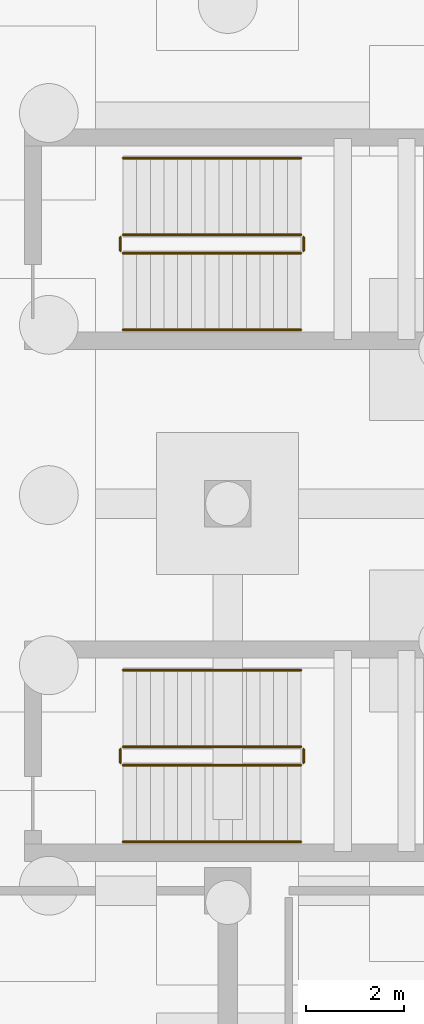
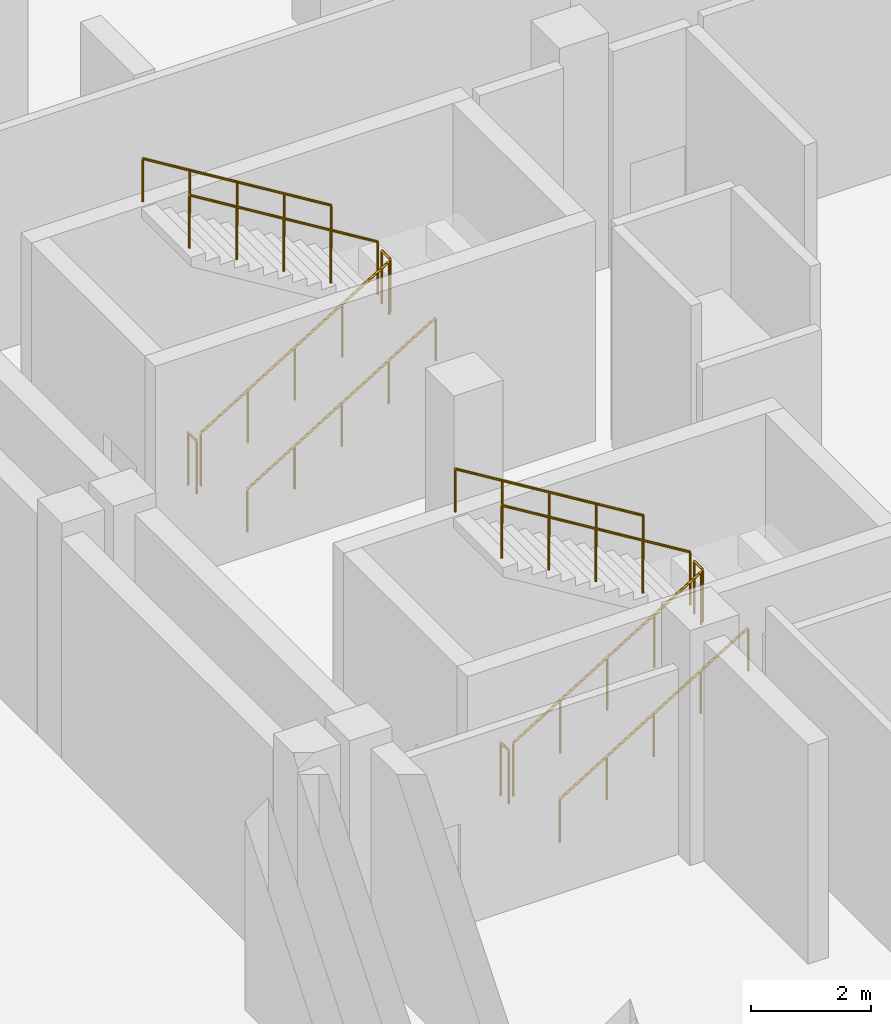
# One storey, part 26 of 29: 12 railings.
"""IFC4 building model written with IfcOpenShell, lengths in metres."""

import ifcopenshell
import ifcopenshell.guid

model = None  # the IFC model being written
_history = None  # IfcOwnerHistory: only IFC2X3 demands one
_inside = {}  # id of a spatial element -> (the spatial element, [elements in it])
_under = {}  # id of a project, library or spatial element -> (it, [spatial elements below it])
_declared = {}  # id of a project -> (the project, [libraries it declares])
_typed = {}  # id of a type object -> (the type object, [elements of that type])
_made_of = {}  # id of a material, layer set ... -> (it, [elements and type objects made of it])


def new_model(schema):
    """Start an empty IFC model of exactly this schema.

    Asked for "IFC4X3", IfcOpenShell would pick the latest addendum, in which some entities
    have other attributes; the version numbers below select the first issue.
    IFC2X3 requires an IfcOwnerHistory on every rooted entity: one is made here for all.
    """
    global model, _history
    if schema == "IFC4X3":
        model = ifcopenshell.file(schema_version=(4, 3, 0, 0))
    else:
        model = ifcopenshell.file(schema=schema)
    _inside.clear()
    _under.clear()
    _declared.clear()
    _typed.clear()
    _made_of.clear()
    _history = None
    if model.schema == "IFC2X3":
        org = make("IfcOrganization", Name="unknown")
        user = make(
            "IfcPersonAndOrganization",
            ThePerson=make("IfcPerson", FamilyName="unknown"),
            TheOrganization=org,
        )
        app = make(
            "IfcApplication",
            ApplicationDeveloper=org,
            Version="unknown",
            ApplicationFullName="unknown",
            ApplicationIdentifier="unknown",
        )
        _history = make(
            "IfcOwnerHistory",
            OwningUser=user,
            OwningApplication=app,
            ChangeAction="ADDED",
            CreationDate=0,
        )
    return model


def make(cls, **values):
    """One entity of the class cls with the attributes given. An attribute that is None is left unset."""
    return model.create_entity(
        cls, **{name: value for name, value in values.items() if value is not None}
    )


def rooted(cls, **values):
    """An entity with a GlobalId (a new one), such as an element, a storey or a relation."""
    return make(cls, GlobalId=ifcopenshell.guid.new(), OwnerHistory=_history, **values)


def si_unit(unit_type, name, prefix=None):
    """IfcSIUnit, for example si_unit("LENGTHUNIT", "METRE", prefix="MILLI")."""
    return make("IfcSIUnit", UnitType=unit_type, Prefix=prefix, Name=name)


def assignment(units):
    """IfcUnitAssignment: the units of a project."""
    return None if units is None else make("IfcUnitAssignment", Units=units)


def point(xyz):
    """IfcCartesianPoint."""
    return None if xyz is None else make("IfcCartesianPoint", Coordinates=xyz)


def direction(xyz):
    """IfcDirection."""
    return None if xyz is None else make("IfcDirection", DirectionRatios=xyz)


def frame(location, z_axis=None, x_axis=None):
    """IfcAxis2Placement3D, a coordinate frame: its origin and axes. An axis left out is left unset."""
    return make(
        "IfcAxis2Placement3D",
        Location=point(location),
        Axis=direction(z_axis),
        RefDirection=direction(x_axis),
    )


def frame_2d(location, x_axis=None):
    """IfcAxis2Placement2D, a coordinate frame in the plane: its origin and x axis."""
    return make(
        "IfcAxis2Placement2D", Location=point(location), RefDirection=direction(x_axis)
    )


def origin():
    """The frame at (0, 0, 0) with its axes left unset."""
    return frame((0.0, 0.0, 0.0))


def origin_2d():
    """The frame at (0, 0) in the plane with its x axis left unset."""
    return frame_2d((0.0, 0.0))


def place(relative_to, where):
    """IfcLocalPlacement: puts the frame where relative to a parent placement (None: the world)."""
    return make(
        "IfcLocalPlacement", PlacementRelTo=relative_to, RelativePlacement=where
    )


def context(
    kind, dimensions, precision=None, world=None, true_north=None, identifier=None
):
    """IfcGeometricRepresentationContext, for example the 3D "Model" context."""
    return make(
        "IfcGeometricRepresentationContext",
        ContextIdentifier=identifier,
        ContextType=kind,
        CoordinateSpaceDimension=dimensions,
        Precision=precision,
        WorldCoordinateSystem=world,
        TrueNorth=true_north,
    )


def subcontext(parent, identifier, kind, view, scale=None):
    """IfcGeometricRepresentationSubContext, for example "Body" below "Model"."""
    return make(
        "IfcGeometricRepresentationSubContext",
        ContextIdentifier=identifier,
        ContextType=kind,
        ParentContext=parent,
        TargetScale=scale,
        TargetView=view,
    )


def project(units=None, contexts=None):
    """IfcProject with its units and contexts."""
    return rooted(
        "IfcProject",
        Name="project",
        RepresentationContexts=contexts,
        UnitsInContext=assignment(units),
    )


def spatial(cls, under=None, at=None, **own):
    """A site, building, storey or space (cls), placed at a placement, below another one or the project."""
    s = rooted(cls, ObjectPlacement=at, **own)
    if under is not None:
        _under.setdefault(under.id(), (under, []))[1].append(s)
    return s


def profile(cls, at=None, kind="AREA", **sizes):
    """A parametric profile (cls). Its sizes go by their IFC names, for example OverallWidth=200.0."""
    return make(cls, ProfileType=kind, Position=at, **sizes)


def circle(**sizes):
    """IfcCircleProfileDef."""
    return profile("IfcCircleProfileDef", **sizes)


def extrude(swept, where, along, depth):
    """IfcExtrudedAreaSolid: the profile swept, set in the frame where, extruded along a direction by depth."""
    return make(
        "IfcExtrudedAreaSolid",
        SweptArea=swept,
        Position=where,
        ExtrudedDirection=direction(along),
        Depth=depth,
    )


def shape(context_of_items, identifier, shape_type, items):
    """IfcShapeRepresentation: the items that make up one representation, for example the "Body"."""
    return make(
        "IfcShapeRepresentation",
        ContextOfItems=context_of_items,
        RepresentationIdentifier=identifier,
        RepresentationType=shape_type,
        Items=items,
    )


def material(Name=None, Category=None):
    """IfcMaterial."""
    return make("IfcMaterial", Name=Name, Category=Category)


def made_of(thing, what):
    """Note that an element or type object is made of a material, layer set ...; save() writes the relation."""
    if what is not None:
        _made_of.setdefault(what.id(), (what, []))[1].append(thing)
    return thing


def type_object(cls, material=None, **own):
    """A type object (cls), such as IfcWallType, which elements share."""
    return made_of(rooted(cls, **own), material)


def element(
    cls,
    number,
    at=None,
    inside=None,
    cuts=None,
    type_object=None,
    material=None,
    context=None,
    identifier="Body",
    shape_type=None,
    held_by="IfcProductDefinitionShape",
    body=None,
    shapes=None,
    **own,
):
    """One element of the class cls, such as IfcWall. Its Tag is "e" and its number.

    at: its placement. inside: the storey or other place that contains it. cuts: it is an
    opening in that element (IfcRelVoidsElement). A single representation is given by context,
    identifier, shape_type and body (its items); several are given by shapes. held_by: the class
    of the entity that holds the representations. save() writes the other relations.
    """
    e = rooted(cls, Tag="e%d" % number, ObjectPlacement=at, **own)
    if body is not None:
        shapes = [shape(context, identifier, shape_type, body)]
    if shapes is not None:
        e.Representation = make(held_by, Representations=shapes)
    if inside is not None:
        _inside.setdefault(inside.id(), (inside, []))[1].append(e)
    if cuts is not None:
        rooted(
            "IfcRelVoidsElement", RelatingBuildingElement=cuts, RelatedOpeningElement=e
        )
    if type_object is not None:
        _typed.setdefault(type_object.id(), (type_object, []))[1].append(e)
    return made_of(e, material)


def aggregate(whole, parts):
    """IfcRelAggregates: a whole, such as a stair, and the parts it consists of."""
    return rooted("IfcRelAggregates", RelatingObject=whole, RelatedObjects=parts)


def save(model, path):
    """Write the relations noted so far, then the file.

    IfcRelAggregates (storeys below a building ...), IfcRelContainedInSpatialStructure (elements
    in a storey), IfcRelDefinesByType, IfcRelAssociatesMaterial and IfcRelDeclares: one each for
    every whole, place, type object, material and project.
    """
    for whole, parts in _under.values():
        aggregate(whole, parts)
    for where, things in _inside.values():
        rooted(
            "IfcRelContainedInSpatialStructure",
            RelatedElements=things,
            RelatingStructure=where,
        )
    for kind, things in _typed.values():
        rooted("IfcRelDefinesByType", RelatedObjects=things, RelatingType=kind)
    for what, things in _made_of.values():
        rooted("IfcRelAssociatesMaterial", RelatedObjects=things, RelatingMaterial=what)
    for by, libraries in _declared.values():
        rooted("IfcRelDeclares", RelatingContext=by, RelatedDefinitions=libraries)
    model.write(path)


model = new_model("IFC4")

# Units and contexts
model_context = context("Model", 3, precision=1e-05, world=origin(), true_north=direction((0.0, 1.0)))
body_context = subcontext(model_context, "Body", "Model", "MODEL_VIEW")
ifc_project = project(units=[si_unit("LENGTHUNIT", "METRE"), si_unit("AREAUNIT", "SQUARE_METRE"), si_unit("VOLUMEUNIT", "CUBIC_METRE"), si_unit("PLANEANGLEUNIT", "RADIAN"), si_unit("MASSUNIT", "GRAM", prefix="KILO")], contexts=[model_context])

# Site, building, storey
site_placement = place(None, origin())
site = spatial("IfcSite", under=ifc_project, at=site_placement, CompositionType="ELEMENT")
building_placement = place(site_placement, origin())
building = spatial("IfcBuilding", under=site, at=building_placement, Name="Kelarvand Opera House", CompositionType="ELEMENT")
storey_placement = place(building_placement, frame((0.0, 0.0, -9.60009765625)))
storey = spatial("IfcBuildingStorey", under=building, at=storey_placement, Name="B2", CompositionType="ELEMENT", Elevation=-9.60009765625)

# Railings
ifc_material_1 = material(Name="Brushed bronze tubular rail")
railing_type_1 = type_object("IfcRailingType", Name="Brushed Bronze Stair Wall Handrail 900", PredefinedType="HANDRAIL", material=ifc_material_1)
railing_1_placement = place(storey_placement, frame((93.4599609375, 66.050048828125, 0.171630859375)))
element("IfcRailing", 1, at=railing_1_placement, inside=storey, type_object=railing_type_1, Name="B2 ST-01 stair handrail 1", PredefinedType="HANDRAIL", context=body_context, shape_type="SweptSolid", body=[
    extrude(circle(Radius=0.02392578125, at=origin_2d()), frame((0.0, 0.0, 0.8759765625), z_axis=(0.852865859571, 0.0, 0.52213008492), x_axis=(0.0, 1.0, 0.0)), (0.0, 0.0, 1.0), 4.26806640625),
    extrude(circle(Radius=0.02099609375, at=origin_2d()), origin(), (0.0, 0.0, 1.0), 0.851806640625),
    extrude(circle(Radius=0.02099609375, at=origin_2d()), frame((0.91015625, 0.0, 0.55712890625)), (0.0, 0.0, 1.0), 0.851806640625),
    extrude(circle(Radius=0.02099609375, at=origin_2d()), frame((1.820068359375, 0.0, 1.1142578125)), (0.0, 0.0, 1.0), 0.851806640625),
    extrude(circle(Radius=0.02099609375, at=origin_2d()), frame((2.72998046875, 0.0, 1.67138671875)), (0.0, 0.0, 1.0), 0.851806640625),
    extrude(circle(Radius=0.02099609375, at=origin_2d()), frame((3.64013671875, 0.0, 2.228515625)), (0.0, 0.0, 1.0), 0.851806640625),
])
railing_2_placement = place(storey_placement, frame((97.10009765625, 69.550048828125, 2.571533203125)))
element("IfcRailing", 2, at=railing_2_placement, inside=storey, type_object=railing_type_1, Name="B2 ST-01 stair handrail 2", PredefinedType="HANDRAIL", context=body_context, shape_type="SweptSolid", body=[
    extrude(circle(Radius=0.02392578125, at=origin_2d()), frame((0.0, 0.0, 0.8759765625), z_axis=(-0.852865859571, 0.0, 0.52213008492), x_axis=(0.0, -1.0, 0.0)), (0.0, 0.0, 1.0), 4.26806640625),
    extrude(circle(Radius=0.02099609375, at=origin_2d()), origin(), (0.0, 0.0, 1.0), 0.851806640625),
    extrude(circle(Radius=0.02099609375, at=origin_2d()), frame((-0.91015625, 0.0, 0.55712890625)), (0.0, 0.0, 1.0), 0.851806640625),
    extrude(circle(Radius=0.02099609375, at=origin_2d()), frame((-1.820068359375, 0.0, 1.1142578125)), (0.0, 0.0, 1.0), 0.851806640625),
    extrude(circle(Radius=0.02099609375, at=origin_2d()), frame((-2.72998046875, 0.0, 1.67138671875)), (0.0, 0.0, 1.0), 0.851806640625),
    extrude(circle(Radius=0.02099609375, at=origin_2d()), frame((-3.64013671875, 0.0, 2.228515625)), (0.0, 0.0, 1.0), 0.851806640625),
])
railing_3_placement = place(storey_placement, frame((93.4599609375, 55.60009765625, 0.171630859375)))
element("IfcRailing", 3, at=railing_3_placement, inside=storey, type_object=railing_type_1, Name="B2 ST-04 stair handrail 1", PredefinedType="HANDRAIL", context=body_context, shape_type="SweptSolid", body=[
    extrude(circle(Radius=0.02392578125, at=origin_2d()), frame((0.0, 0.0, 0.8759765625), z_axis=(0.852865859571, 0.0, 0.52213008492), x_axis=(0.0, 1.0, 0.0)), (0.0, 0.0, 1.0), 4.26806640625),
    extrude(circle(Radius=0.02099609375, at=origin_2d()), origin(), (0.0, 0.0, 1.0), 0.851806640625),
    extrude(circle(Radius=0.02099609375, at=origin_2d()), frame((0.91015625, 0.0, 0.55712890625)), (0.0, 0.0, 1.0), 0.851806640625),
    extrude(circle(Radius=0.02099609375, at=origin_2d()), frame((1.820068359375, 0.0, 1.1142578125)), (0.0, 0.0, 1.0), 0.851806640625),
    extrude(circle(Radius=0.02099609375, at=origin_2d()), frame((2.72998046875, 0.0, 1.67138671875)), (0.0, 0.0, 1.0), 0.851806640625),
    extrude(circle(Radius=0.02099609375, at=origin_2d()), frame((3.64013671875, 0.0, 2.228515625)), (0.0, 0.0, 1.0), 0.851806640625),
])
railing_4_placement = place(storey_placement, frame((97.10009765625, 59.10009765625, 2.571533203125)))
element("IfcRailing", 4, at=railing_4_placement, inside=storey, type_object=railing_type_1, Name="B2 ST-04 stair handrail 2", PredefinedType="HANDRAIL", context=body_context, shape_type="SweptSolid", body=[
    extrude(circle(Radius=0.02392578125, at=origin_2d()), frame((0.0, 0.0, 0.8759765625), z_axis=(-0.852865859571, 0.0, 0.52213008492), x_axis=(0.0, -1.0, 0.0)), (0.0, 0.0, 1.0), 4.26806640625),
    extrude(circle(Radius=0.02099609375, at=origin_2d()), origin(), (0.0, 0.0, 1.0), 0.851806640625),
    extrude(circle(Radius=0.02099609375, at=origin_2d()), frame((-0.91015625, 0.0, 0.55712890625)), (0.0, 0.0, 1.0), 0.851806640625),
    extrude(circle(Radius=0.02099609375, at=origin_2d()), frame((-1.820068359375, 0.0, 1.1142578125)), (0.0, 0.0, 1.0), 0.851806640625),
    extrude(circle(Radius=0.02099609375, at=origin_2d()), frame((-2.72998046875, 0.0, 1.67138671875)), (0.0, 0.0, 1.0), 0.851806640625),
    extrude(circle(Radius=0.02099609375, at=origin_2d()), frame((-3.64013671875, 0.0, 2.228515625)), (0.0, 0.0, 1.0), 0.851806640625),
])
ifc_material_2 = material(Name="Powder-coated Steel S355", Category="steel")
railing_type_2 = type_object("IfcRailingType", Name="Painted Steel Stair and Void Guardrail 1100", PredefinedType="GUARDRAIL", material=ifc_material_2)
railing_5_placement = place(storey_placement, frame((93.4599609375, 67.610107421875, 0.171630859375)))
element("IfcRailing", 5, at=railing_5_placement, inside=storey, type_object=railing_type_2, Name="B2 ST-01 stair guard 1", PredefinedType="GUARDRAIL", context=body_context, shape_type="SweptSolid", body=[
    extrude(circle(Radius=0.02392578125, at=origin_2d()), frame((0.0, 0.0, 1.076171875), z_axis=(0.852865859571, 0.0, 0.52213008492), x_axis=(0.0, 1.0, 0.0)), (0.0, 0.0, 1.0), 4.26806640625),
    extrude(circle(Radius=0.02099609375, at=origin_2d()), origin(), (0.0, 0.0, 1.0), 1.052001953125),
    extrude(circle(Radius=0.02099609375, at=origin_2d()), frame((0.91015625, 0.0, 0.55712890625)), (0.0, 0.0, 1.0), 1.052001953125),
    extrude(circle(Radius=0.02099609375, at=origin_2d()), frame((1.820068359375, 0.0, 1.1142578125)), (0.0, 0.0, 1.0), 1.052001953125),
    extrude(circle(Radius=0.02099609375, at=origin_2d()), frame((2.72998046875, 0.0, 1.67138671875)), (0.0, 0.0, 1.0), 1.052001953125),
    extrude(circle(Radius=0.02099609375, at=origin_2d()), frame((3.64013671875, 0.0, 2.228515625)), (0.0, 0.0, 1.0), 1.052001953125),
])
railing_6_placement = place(storey_placement, frame((97.14990234375, 67.659912109375, 2.400146484375)))
element("IfcRailing", 6, at=railing_6_placement, inside=storey, type_object=railing_type_2, Name="B2 ST-01 stair guard 2", PredefinedType="GUARDRAIL", context=body_context, shape_type="SweptSolid", body=[
    extrude(circle(Radius=0.02392578125, at=origin_2d()), frame((0.0, 0.0, 1.076171875), z_axis=(0.0, 1.0, 0.0), x_axis=(-1.0, 0.0, 0.0)), (0.0, 0.0, 1.0), 0.280029296875),
    extrude(circle(Radius=0.02099609375, at=origin_2d()), origin(), (0.0, 0.0, 1.0), 1.052001953125),
    extrude(circle(Radius=0.02099609375, at=origin_2d()), frame((0.0, 0.280029296875, 0.0)), (0.0, 0.0, 1.0), 1.052001953125),
])
railing_7_placement = place(storey_placement, frame((97.10009765625, 67.989990234375, 2.571533203125)))
element("IfcRailing", 7, at=railing_7_placement, inside=storey, type_object=railing_type_2, Name="B2 ST-01 stair guard 3", PredefinedType="GUARDRAIL", context=body_context, shape_type="SweptSolid", body=[
    extrude(circle(Radius=0.02392578125, at=origin_2d()), frame((0.0, 0.0, 1.076171875), z_axis=(-0.852865859571, 0.0, 0.52213008492), x_axis=(0.0, -1.0, 0.0)), (0.0, 0.0, 1.0), 4.26806640625),
    extrude(circle(Radius=0.02099609375, at=origin_2d()), origin(), (0.0, 0.0, 1.0), 1.052001953125),
    extrude(circle(Radius=0.02099609375, at=origin_2d()), frame((-0.91015625, 0.0, 0.55712890625)), (0.0, 0.0, 1.0), 1.052001953125),
    extrude(circle(Radius=0.02099609375, at=origin_2d()), frame((-1.820068359375, 0.0, 1.1142578125)), (0.0, 0.0, 1.0), 1.052001953125),
    extrude(circle(Radius=0.02099609375, at=origin_2d()), frame((-2.72998046875, 0.0, 1.67138671875)), (0.0, 0.0, 1.0), 1.052001953125),
    extrude(circle(Radius=0.02099609375, at=origin_2d()), frame((-3.64013671875, 0.0, 2.228515625)), (0.0, 0.0, 1.0), 1.052001953125),
])
railing_8_placement = place(storey_placement, frame((93.409912109375, 67.659912109375, 0.0)))
element("IfcRailing", 8, at=railing_8_placement, inside=storey, type_object=railing_type_2, Name="B2 ST-01 stair guard 4", PredefinedType="GUARDRAIL", context=body_context, shape_type="SweptSolid", body=[
    extrude(circle(Radius=0.02392578125, at=origin_2d()), frame((0.0, 0.0, 1.076171875), z_axis=(0.0, 1.0, 0.0), x_axis=(-1.0, 0.0, 0.0)), (0.0, 0.0, 1.0), 0.280029296875),
    extrude(circle(Radius=0.02099609375, at=origin_2d()), origin(), (0.0, 0.0, 1.0), 1.052001953125),
    extrude(circle(Radius=0.02099609375, at=origin_2d()), frame((0.0, 0.280029296875, 0.0)), (0.0, 0.0, 1.0), 1.052001953125),
])
railing_9_placement = place(storey_placement, frame((93.4599609375, 57.159912109375, 0.171630859375)))
element("IfcRailing", 9, at=railing_9_placement, inside=storey, type_object=railing_type_2, Name="B2 ST-04 stair guard 1", PredefinedType="GUARDRAIL", context=body_context, shape_type="SweptSolid", body=[
    extrude(circle(Radius=0.02392578125, at=origin_2d()), frame((0.0, 0.0, 1.076171875), z_axis=(0.852865859571, 0.0, 0.52213008492), x_axis=(0.0, 1.0, 0.0)), (0.0, 0.0, 1.0), 4.26806640625),
    extrude(circle(Radius=0.02099609375, at=origin_2d()), origin(), (0.0, 0.0, 1.0), 1.052001953125),
    extrude(circle(Radius=0.02099609375, at=origin_2d()), frame((0.91015625, 0.0, 0.55712890625)), (0.0, 0.0, 1.0), 1.052001953125),
    extrude(circle(Radius=0.02099609375, at=origin_2d()), frame((1.820068359375, 0.0, 1.1142578125)), (0.0, 0.0, 1.0), 1.052001953125),
    extrude(circle(Radius=0.02099609375, at=origin_2d()), frame((2.72998046875, 0.0, 1.67138671875)), (0.0, 0.0, 1.0), 1.052001953125),
    extrude(circle(Radius=0.02099609375, at=origin_2d()), frame((3.64013671875, 0.0, 2.228515625)), (0.0, 0.0, 1.0), 1.052001953125),
])
railing_10_placement = place(storey_placement, frame((97.14990234375, 57.2099609375, 2.400146484375)))
element("IfcRailing", 10, at=railing_10_placement, inside=storey, type_object=railing_type_2, Name="B2 ST-04 stair guard 2", PredefinedType="GUARDRAIL", context=body_context, shape_type="SweptSolid", body=[
    extrude(circle(Radius=0.02392578125, at=origin_2d()), frame((0.0, 0.0, 1.076171875), z_axis=(0.0, 1.0, 0.0), x_axis=(-1.0, 0.0, 0.0)), (0.0, 0.0, 1.0), 0.280029296875),
    extrude(circle(Radius=0.02099609375, at=origin_2d()), origin(), (0.0, 0.0, 1.0), 1.052001953125),
    extrude(circle(Radius=0.02099609375, at=origin_2d()), frame((0.0, 0.280029296875, 0.0)), (0.0, 0.0, 1.0), 1.052001953125),
])
railing_11_placement = place(storey_placement, frame((97.10009765625, 57.5400390625, 2.571533203125)))
element("IfcRailing", 11, at=railing_11_placement, inside=storey, type_object=railing_type_2, Name="B2 ST-04 stair guard 3", PredefinedType="GUARDRAIL", context=body_context, shape_type="SweptSolid", body=[
    extrude(circle(Radius=0.02392578125, at=origin_2d()), frame((0.0, 0.0, 1.076171875), z_axis=(-0.852865859571, 0.0, 0.52213008492), x_axis=(0.0, -1.0, 0.0)), (0.0, 0.0, 1.0), 4.26806640625),
    extrude(circle(Radius=0.02099609375, at=origin_2d()), origin(), (0.0, 0.0, 1.0), 1.052001953125),
    extrude(circle(Radius=0.02099609375, at=origin_2d()), frame((-0.91015625, 0.0, 0.55712890625)), (0.0, 0.0, 1.0), 1.052001953125),
    extrude(circle(Radius=0.02099609375, at=origin_2d()), frame((-1.820068359375, 0.0, 1.1142578125)), (0.0, 0.0, 1.0), 1.052001953125),
    extrude(circle(Radius=0.02099609375, at=origin_2d()), frame((-2.72998046875, 0.0, 1.67138671875)), (0.0, 0.0, 1.0), 1.052001953125),
    extrude(circle(Radius=0.02099609375, at=origin_2d()), frame((-3.64013671875, 0.0, 2.228515625)), (0.0, 0.0, 1.0), 1.052001953125),
])
railing_12_placement = place(storey_placement, frame((93.409912109375, 57.2099609375, 0.0)))
element("IfcRailing", 12, at=railing_12_placement, inside=storey, type_object=railing_type_2, Name="B2 ST-04 stair guard 4", PredefinedType="GUARDRAIL", context=body_context, shape_type="SweptSolid", body=[
    extrude(circle(Radius=0.02392578125, at=origin_2d()), frame((0.0, 0.0, 1.076171875), z_axis=(0.0, 1.0, 0.0), x_axis=(-1.0, 0.0, 0.0)), (0.0, 0.0, 1.0), 0.280029296875),
    extrude(circle(Radius=0.02099609375, at=origin_2d()), origin(), (0.0, 0.0, 1.0), 1.052001953125),
    extrude(circle(Radius=0.02099609375, at=origin_2d()), frame((0.0, 0.280029296875, 0.0)), (0.0, 0.0, 1.0), 1.052001953125),
])

save(model, "model.ifc")
